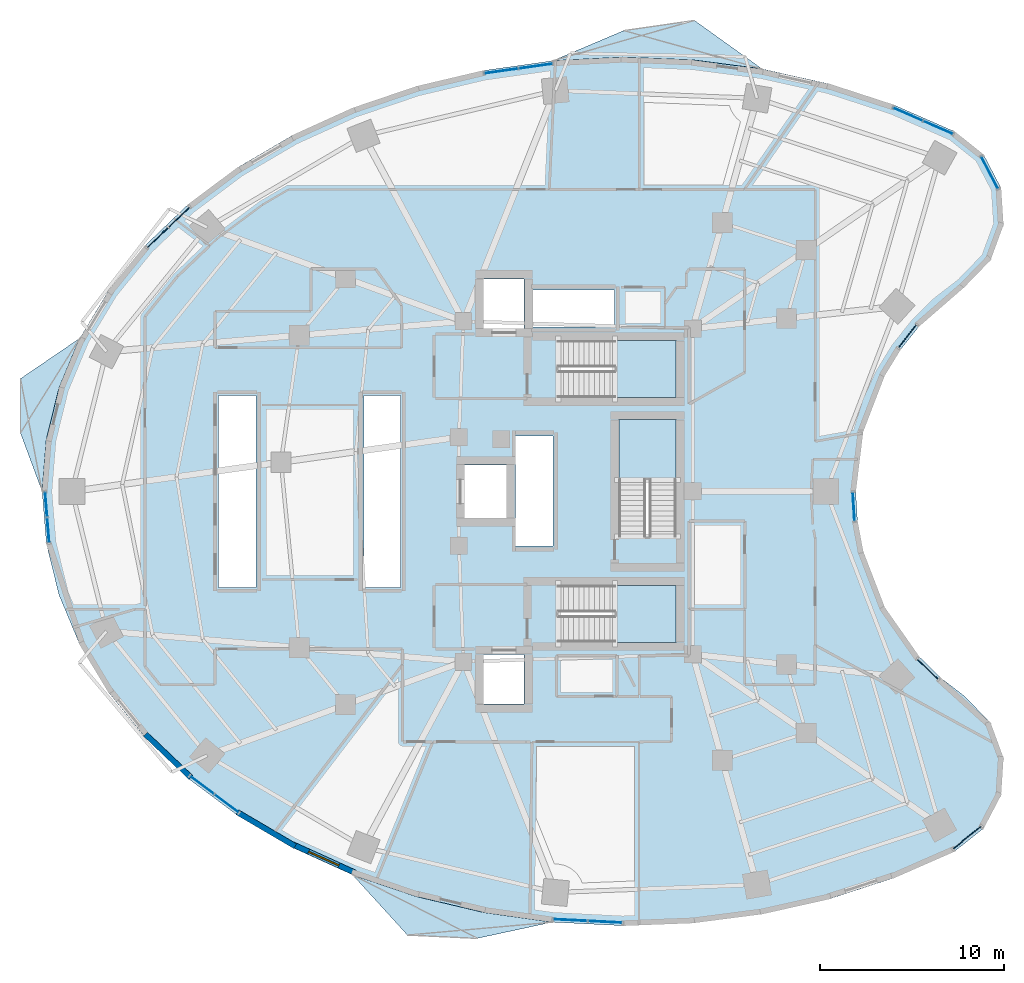
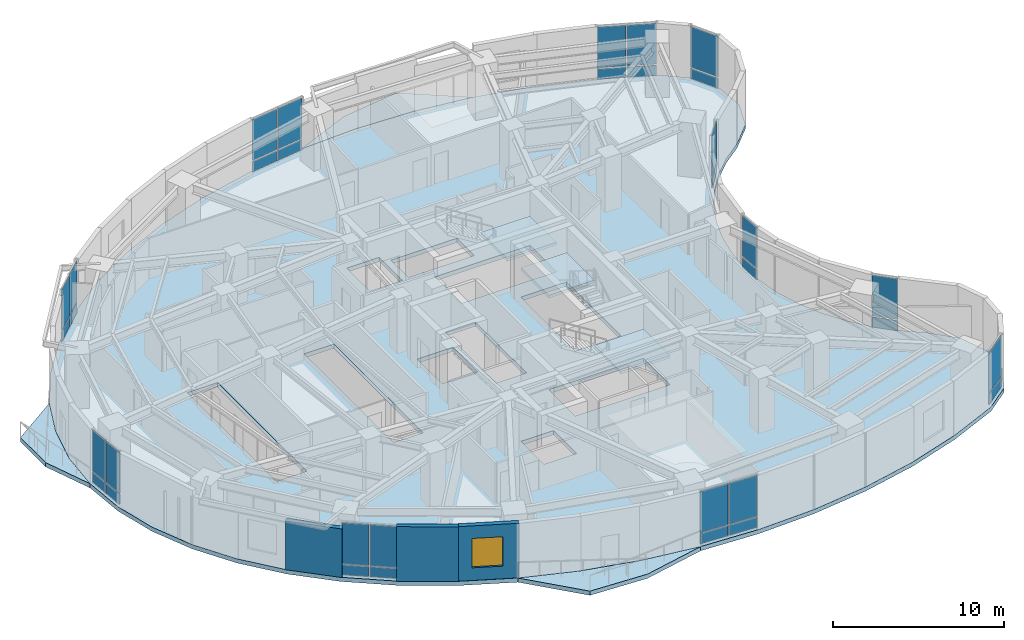
# One storey, part 7 of 15: 34 plates, 7 slabs, 3 walls, 1 window, 1 opening, 14 elements without a shape of their own.
"""IFC4 building model written with IfcOpenShell, lengths in metres."""

from ifc_helpers import new_model, si_unit, direction, frame, frame_2d, origin, origin_2d, place, context, subcontext, project, spatial, polyline, rectangle, outline, extrude, material, layer, layer_set, type_object, element, fill, aggregate, save


model = new_model("IFC4")

# Units and contexts
model_context = context("Model", 3, precision=1e-05, world=origin(), true_north=direction((0.0, 1.0)))
body_context = subcontext(model_context, "Body", "Model", "MODEL_VIEW")
ifc_project = project(units=[si_unit("LENGTHUNIT", "METRE"), si_unit("AREAUNIT", "SQUARE_METRE"), si_unit("VOLUMEUNIT", "CUBIC_METRE"), si_unit("PLANEANGLEUNIT", "RADIAN"), si_unit("MASSUNIT", "GRAM", prefix="KILO")], contexts=[model_context])

# Site, building, storey
site_placement = place(None, origin())
site = spatial("IfcSite", under=ifc_project, at=site_placement, CompositionType="ELEMENT")
building_placement = place(site_placement, origin())
building = spatial("IfcBuilding", under=site, at=building_placement, Name="Korentha Bioscience Tower", CompositionType="ELEMENT")
storey_placement = place(building_placement, frame((0.0, 0.0, 42.60009765625)))
storey = spatial("IfcBuildingStorey", under=building, at=storey_placement, Name="L09", CompositionType="ELEMENT", Elevation=42.60009765625)

# Curtain wall, plates
ifc_material_1 = material(Name="Thermally Broken Aluminium Frame", Category="aluminium")
ifc_layer_1 = layer(ifc_material_1, 0.219970703125, Name="Thermally Broken Aluminium Frame")
ifc_layer_set_1 = layer_set([ifc_layer_1], Name="Thermally Broken Aluminium Frame (CW-T1)")
curtain_wall_type = type_object("IfcCurtainWallType", Name="Standard Bioscience Lab Unitised Curtain Wall CW-T1", PredefinedType="USERDEFINED", material=ifc_layer_set_1)
curtain_wall_1_placement = place(storey_placement, origin())
curtain_wall_1 = element("IfcCurtainWall", 1, at=curtain_wall_1_placement, inside=storey, type_object=curtain_wall_type, Name="L09 Curtain Wall 01", ObjectType="UNITISED", PredefinedType="USERDEFINED")
ifc_material_2 = material(Name="Triple-Glazed Low-E Insulated Glass", Category="glass")
ifc_layer_2 = layer(ifc_material_2, 0.0439453125, Name="Triple-Glazed Low-E Insulated Glass")
ifc_layer_set_2 = layer_set([ifc_layer_2], Name="Triple-Glazed Low-E Insulated Glass (GL-44)")
plate_type = type_object("IfcPlateType", Name="Glazed Panel 44mm", PredefinedType="CURTAIN_PANEL", material=ifc_layer_set_2)
plate_1_placement = place(storey_placement, frame((50.893310546875, 46.780029296875, 0.08984375), z_axis=(0.0, 0.0, 1.0), x_axis=(-0.91593909057, 0.401317308828, 0.0)))
plate_1 = element("IfcPlate", 2, at=plate_1_placement, type_object=plate_type, Name="CW-L09-01 Bay 1 Glazed Panel 1", PredefinedType="CURTAIN_PANEL", context=body_context, shape_type="SweptSolid", body=[
    extrude(rectangle(XDim=1.701171875, YDim=0.0439453125, at=origin_2d()), origin(), (0.0, 0.0, 1.0), 0.715087890625),
])
plate_2_placement = place(storey_placement, frame((50.893310546875, 46.780029296875, 0.894775390625), z_axis=(0.0, 0.0, 1.0), x_axis=(-0.91593909057, 0.401317308828, 0.0)))
plate_2 = element("IfcPlate", 3, at=plate_2_placement, type_object=plate_type, Name="CW-L09-01 Bay 1 Glazed Panel 2", PredefinedType="CURTAIN_PANEL", context=body_context, shape_type="SweptSolid", body=[
    extrude(rectangle(XDim=1.701171875, YDim=0.0439453125, at=origin_2d()), origin(), (0.0, 0.0, 1.0), 2.9150390625),
])
plate_3_placement = place(storey_placement, frame((49.25244140625, 47.498779296875, 0.08984375), z_axis=(0.0, 0.0, 1.0), x_axis=(-0.91593909057, 0.401317308828, 0.0)))
plate_3 = element("IfcPlate", 4, at=plate_3_placement, type_object=plate_type, Name="CW-L09-01 Bay 2 Glazed Panel 1", PredefinedType="CURTAIN_PANEL", context=body_context, shape_type="SweptSolid", body=[
    extrude(rectangle(XDim=1.701171875, YDim=0.0439453125, at=origin_2d()), origin(), (0.0, 0.0, 1.0), 0.715087890625),
])
plate_4_placement = place(storey_placement, frame((49.25244140625, 47.498779296875, 0.894775390625), z_axis=(0.0, 0.0, 1.0), x_axis=(-0.91593909057, 0.401317308828, 0.0)))
plate_4 = element("IfcPlate", 5, at=plate_4_placement, type_object=plate_type, Name="CW-L09-01 Bay 2 Glazed Panel 2", PredefinedType="CURTAIN_PANEL", context=body_context, shape_type="SweptSolid", body=[
    extrude(rectangle(XDim=1.701171875, YDim=0.0439453125, at=origin_2d()), origin(), (0.0, 0.0, 1.0), 2.9150390625),
])
aggregate(curtain_wall_1, [plate_1, plate_2, plate_3, plate_4])

curtain_wall_2_placement = place(storey_placement, origin())
curtain_wall_2 = element("IfcCurtainWall", 6, at=curtain_wall_2_placement, inside=storey, type_object=curtain_wall_type, Name="L09 Curtain Wall 07", ObjectType="UNITISED", PredefinedType="USERDEFINED")
plate_5_placement = place(storey_placement, frame((29.0224609375, 50.11572265625, 0.08984375), z_axis=(0.0, 0.0, 1.0), x_axis=(-0.990167372968, -0.139887717511, 0.0)))
plate_5 = element("IfcPlate", 7, at=plate_5_placement, type_object=plate_type, Name="CW-L09-07 Bay 1 Glazed Panel 1", PredefinedType="CURTAIN_PANEL", context=body_context, shape_type="SweptSolid", body=[
    extrude(rectangle(XDim=1.800537109375, YDim=0.0439453125, at=origin_2d()), origin(), (0.0, 0.0, 1.0), 0.715087890625),
])
plate_6_placement = place(storey_placement, frame((29.0224609375, 50.11572265625, 0.894775390625), z_axis=(0.0, 0.0, 1.0), x_axis=(-0.990167372968, -0.139887717511, 0.0)))
plate_6 = element("IfcPlate", 8, at=plate_6_placement, type_object=plate_type, Name="CW-L09-07 Bay 1 Glazed Panel 2", PredefinedType="CURTAIN_PANEL", context=body_context, shape_type="SweptSolid", body=[
    extrude(rectangle(XDim=1.800537109375, YDim=0.0439453125, at=origin_2d()), origin(), (0.0, 0.0, 1.0), 2.9150390625),
])
plate_7_placement = place(storey_placement, frame((27.150634765625, 49.851318359375, 0.08984375), z_axis=(0.0, 0.0, 1.0), x_axis=(-0.990167372968, -0.139887717511, 0.0)))
plate_7 = element("IfcPlate", 9, at=plate_7_placement, type_object=plate_type, Name="CW-L09-07 Bay 2 Glazed Panel 1", PredefinedType="CURTAIN_PANEL", context=body_context, shape_type="SweptSolid", body=[
    extrude(rectangle(XDim=1.800537109375, YDim=0.0439453125, at=origin_2d()), origin(), (0.0, 0.0, 1.0), 0.715087890625),
])
plate_8_placement = place(storey_placement, frame((27.150634765625, 49.851318359375, 0.894775390625), z_axis=(0.0, 0.0, 1.0), x_axis=(-0.990167372968, -0.139887717511, 0.0)))
plate_8 = element("IfcPlate", 10, at=plate_8_placement, type_object=plate_type, Name="CW-L09-07 Bay 2 Glazed Panel 2", PredefinedType="CURTAIN_PANEL", context=body_context, shape_type="SweptSolid", body=[
    extrude(rectangle(XDim=1.800537109375, YDim=0.0439453125, at=origin_2d()), origin(), (0.0, 0.0, 1.0), 2.9150390625),
])
aggregate(curtain_wall_2, [plate_5, plate_6, plate_7, plate_8])

curtain_wall_3_placement = place(storey_placement, origin())
curtain_wall_3 = element("IfcCurtainWall", 11, at=curtain_wall_3_placement, inside=storey, type_object=curtain_wall_type, Name="L09 Curtain Wall 13", ObjectType="UNITISED", PredefinedType="USERDEFINED")
plate_9_placement = place(storey_placement, frame((9.643798828125, 41.9091796875, 0.08984375), z_axis=(0.0, 0.0, 1.0), x_axis=(-0.723641761581, -0.690175775361, 0.0)))
plate_9 = element("IfcPlate", 12, at=plate_9_placement, type_object=plate_type, Name="CW-L09-13 Bay 1 Glazed Panel 1", PredefinedType="CURTAIN_PANEL", context=body_context, shape_type="SweptSolid", body=[
    extrude(rectangle(XDim=1.5263671875, YDim=0.0439453125, at=origin_2d()), origin(), (0.0, 0.0, 1.0), 0.715087890625),
])
plate_10_placement = place(storey_placement, frame((9.643798828125, 41.9091796875, 0.894775390625), z_axis=(0.0, 0.0, 1.0), x_axis=(-0.723641761581, -0.690175775361, 0.0)))
plate_10 = element("IfcPlate", 13, at=plate_10_placement, type_object=plate_type, Name="CW-L09-13 Bay 1 Glazed Panel 2", PredefinedType="CURTAIN_PANEL", context=body_context, shape_type="SweptSolid", body=[
    extrude(rectangle(XDim=1.5263671875, YDim=0.0439453125, at=origin_2d()), origin(), (0.0, 0.0, 1.0), 2.9150390625),
])
plate_11_placement = place(storey_placement, frame((8.47412109375, 40.793701171875, 0.08984375), z_axis=(0.0, 0.0, 1.0), x_axis=(-0.723641761581, -0.690175775361, 0.0)))
plate_11 = element("IfcPlate", 14, at=plate_11_placement, type_object=plate_type, Name="CW-L09-13 Bay 2 Glazed Panel 1", PredefinedType="CURTAIN_PANEL", context=body_context, shape_type="SweptSolid", body=[
    extrude(rectangle(XDim=1.5263671875, YDim=0.0439453125, at=origin_2d()), origin(), (0.0, 0.0, 1.0), 0.715087890625),
])
plate_12_placement = place(storey_placement, frame((8.47412109375, 40.793701171875, 0.894775390625), z_axis=(0.0, 0.0, 1.0), x_axis=(-0.723641761581, -0.690175775361, 0.0)))
plate_12 = element("IfcPlate", 15, at=plate_12_placement, type_object=plate_type, Name="CW-L09-13 Bay 2 Glazed Panel 2", PredefinedType="CURTAIN_PANEL", context=body_context, shape_type="SweptSolid", body=[
    extrude(rectangle(XDim=1.5263671875, YDim=0.0439453125, at=origin_2d()), origin(), (0.0, 0.0, 1.0), 2.9150390625),
])
aggregate(curtain_wall_3, [plate_9, plate_10, plate_11, plate_12])

curtain_wall_4_placement = place(storey_placement, origin())
curtain_wall_4 = element("IfcCurtainWall", 16, at=curtain_wall_4_placement, inside=storey, type_object=curtain_wall_type, Name="L09 Curtain Wall 19", ObjectType="UNITISED", PredefinedType="USERDEFINED")
plate_13_placement = place(storey_placement, frame((2.4169921875, 26.302734375, 0.08984375), z_axis=(0.0, 0.0, 1.0), x_axis=(0.080820466375, -0.996728675325, 0.0)))
plate_13 = element("IfcPlate", 17, at=plate_13_placement, type_object=plate_type, Name="CW-L09-19 Bay 1 Glazed Panel 1", PredefinedType="CURTAIN_PANEL", context=body_context, shape_type="SweptSolid", body=[
    extrude(rectangle(XDim=1.324951171875, YDim=0.0439453125, at=origin_2d()), origin(), (0.0, 0.0, 1.0), 0.715087890625),
])
plate_14_placement = place(storey_placement, frame((2.4169921875, 26.302734375, 0.894775390625), z_axis=(0.0, 0.0, 1.0), x_axis=(0.080820466375, -0.996728675325, 0.0)))
plate_14 = element("IfcPlate", 18, at=plate_14_placement, type_object=plate_type, Name="CW-L09-19 Bay 1 Glazed Panel 2", PredefinedType="CURTAIN_PANEL", context=body_context, shape_type="SweptSolid", body=[
    extrude(rectangle(XDim=1.324951171875, YDim=0.0439453125, at=origin_2d()), origin(), (0.0, 0.0, 1.0), 2.9150390625),
])
plate_15_placement = place(storey_placement, frame((2.531494140625, 24.892333984375, 0.08984375), z_axis=(0.0, 0.0, 1.0), x_axis=(0.080820466375, -0.996728675325, 0.0)))
plate_15 = element("IfcPlate", 19, at=plate_15_placement, type_object=plate_type, Name="CW-L09-19 Bay 2 Glazed Panel 1", PredefinedType="CURTAIN_PANEL", context=body_context, shape_type="SweptSolid", body=[
    extrude(rectangle(XDim=1.324951171875, YDim=0.0439453125, at=origin_2d()), origin(), (0.0, 0.0, 1.0), 0.715087890625),
])
plate_16_placement = place(storey_placement, frame((2.531494140625, 24.892333984375, 0.894775390625), z_axis=(0.0, 0.0, 1.0), x_axis=(0.080820466375, -0.996728675325, 0.0)))
plate_16 = element("IfcPlate", 20, at=plate_16_placement, type_object=plate_type, Name="CW-L09-19 Bay 2 Glazed Panel 2", PredefinedType="CURTAIN_PANEL", context=body_context, shape_type="SweptSolid", body=[
    extrude(rectangle(XDim=1.324951171875, YDim=0.0439453125, at=origin_2d()), origin(), (0.0, 0.0, 1.0), 2.9150390625),
])
aggregate(curtain_wall_4, [plate_13, plate_14, plate_15, plate_16])

curtain_wall_5_placement = place(storey_placement, origin())
curtain_wall_5 = element("IfcCurtainWall", 21, at=curtain_wall_5_placement, inside=storey, type_object=curtain_wall_type, Name="L09 Curtain Wall 25", ObjectType="UNITISED", PredefinedType="USERDEFINED")
plate_17_placement = place(storey_placement, frame((10.892578125, 11.037109375, 0.08984375), z_axis=(0.0, 0.0, 1.0), x_axis=(0.800797909614, -0.598934644145, 0.0)))
plate_17 = element("IfcPlate", 22, at=plate_17_placement, type_object=plate_type, Name="CW-L09-25 Bay 1 Glazed Panel 1", PredefinedType="CURTAIN_PANEL", context=body_context, shape_type="SweptSolid", body=[
    extrude(rectangle(XDim=1.58544921875, YDim=0.0439453125, at=origin_2d()), origin(), (0.0, 0.0, 1.0), 0.715087890625),
])
plate_18_placement = place(storey_placement, frame((10.892578125, 11.037109375, 0.894775390625), z_axis=(0.0, 0.0, 1.0), x_axis=(0.800797909614, -0.598934644145, 0.0)))
plate_18 = element("IfcPlate", 23, at=plate_18_placement, type_object=plate_type, Name="CW-L09-25 Bay 1 Glazed Panel 2", PredefinedType="CURTAIN_PANEL", context=body_context, shape_type="SweptSolid", body=[
    extrude(rectangle(XDim=1.58544921875, YDim=0.0439453125, at=origin_2d()), origin(), (0.0, 0.0, 1.0), 2.9150390625),
])
plate_19_placement = place(storey_placement, frame((12.234375, 10.033447265625, 0.08984375), z_axis=(0.0, 0.0, 1.0), x_axis=(0.800797909614, -0.598934644145, 0.0)))
plate_19 = element("IfcPlate", 24, at=plate_19_placement, type_object=plate_type, Name="CW-L09-25 Bay 2 Glazed Panel 1", PredefinedType="CURTAIN_PANEL", context=body_context, shape_type="SweptSolid", body=[
    extrude(rectangle(XDim=1.58544921875, YDim=0.0439453125, at=origin_2d()), origin(), (0.0, 0.0, 1.0), 0.715087890625),
])
plate_20_placement = place(storey_placement, frame((12.234375, 10.033447265625, 0.894775390625), z_axis=(0.0, 0.0, 1.0), x_axis=(0.800797909614, -0.598934644145, 0.0)))
plate_20 = element("IfcPlate", 25, at=plate_20_placement, type_object=plate_type, Name="CW-L09-25 Bay 2 Glazed Panel 2", PredefinedType="CURTAIN_PANEL", context=body_context, shape_type="SweptSolid", body=[
    extrude(rectangle(XDim=1.58544921875, YDim=0.0439453125, at=origin_2d()), origin(), (0.0, 0.0, 1.0), 2.9150390625),
])
aggregate(curtain_wall_5, [plate_17, plate_18, plate_19, plate_20])

curtain_wall_6_placement = place(storey_placement, origin())
curtain_wall_6 = element("IfcCurtainWall", 26, at=curtain_wall_6_placement, inside=storey, type_object=curtain_wall_type, Name="L09 Curtain Wall 31", ObjectType="UNITISED", PredefinedType="USERDEFINED")
plate_21_placement = place(storey_placement, frame((30.90478515625, 3.70458984375, 0.08984375), z_axis=(0.0, 0.0, 1.0), x_axis=(0.998730551641, -0.050371472279, 0.0)))
plate_21 = element("IfcPlate", 27, at=plate_21_placement, type_object=plate_type, Name="CW-L09-31 Bay 1 Glazed Panel 1", PredefinedType="CURTAIN_PANEL", context=body_context, shape_type="SweptSolid", body=[
    extrude(rectangle(XDim=1.8134765625, YDim=0.0439453125, at=origin_2d()), origin(), (0.0, 0.0, 1.0), 0.715087890625),
])
plate_22_placement = place(storey_placement, frame((30.90478515625, 3.70458984375, 0.894775390625), z_axis=(0.0, 0.0, 1.0), x_axis=(0.998730551641, -0.050371472279, 0.0)))
plate_22 = element("IfcPlate", 28, at=plate_22_placement, type_object=plate_type, Name="CW-L09-31 Bay 1 Glazed Panel 2", PredefinedType="CURTAIN_PANEL", context=body_context, shape_type="SweptSolid", body=[
    extrude(rectangle(XDim=1.8134765625, YDim=0.0439453125, at=origin_2d()), origin(), (0.0, 0.0, 1.0), 2.9150390625),
])
plate_23_placement = place(storey_placement, frame((32.805908203125, 3.608642578125, 0.08984375), z_axis=(0.0, 0.0, 1.0), x_axis=(0.998730551641, -0.050371472279, 0.0)))
plate_23 = element("IfcPlate", 29, at=plate_23_placement, type_object=plate_type, Name="CW-L09-31 Bay 2 Glazed Panel 1", PredefinedType="CURTAIN_PANEL", context=body_context, shape_type="SweptSolid", body=[
    extrude(rectangle(XDim=1.8134765625, YDim=0.0439453125, at=origin_2d()), origin(), (0.0, 0.0, 1.0), 0.715087890625),
])
plate_24_placement = place(storey_placement, frame((32.805908203125, 3.608642578125, 0.894775390625), z_axis=(0.0, 0.0, 1.0), x_axis=(0.998730551641, -0.050371472279, 0.0)))
plate_24 = element("IfcPlate", 30, at=plate_24_placement, type_object=plate_type, Name="CW-L09-31 Bay 2 Glazed Panel 2", PredefinedType="CURTAIN_PANEL", context=body_context, shape_type="SweptSolid", body=[
    extrude(rectangle(XDim=1.8134765625, YDim=0.0439453125, at=origin_2d()), origin(), (0.0, 0.0, 1.0), 2.9150390625),
])
aggregate(curtain_wall_6, [plate_21, plate_22, plate_23, plate_24])

curtain_wall_7_placement = place(storey_placement, origin())
curtain_wall_7 = element("IfcCurtainWall", 31, at=curtain_wall_7_placement, inside=storey, type_object=curtain_wall_type, Name="L09 Curtain Wall 37", ObjectType="UNITISED", PredefinedType="USERDEFINED")
plate_25_placement = place(storey_placement, frame((52.4755859375, 8.19140625, 0.08984375), z_axis=(0.0, 0.0, 1.0), x_axis=(0.782287851332, 0.62291710336, 0.0)))
plate_25 = element("IfcPlate", 32, at=plate_25_placement, type_object=plate_type, Name="CW-L09-37 Bay 1 Glazed Panel 1", PredefinedType="CURTAIN_PANEL", context=body_context, shape_type="SweptSolid", body=[
    extrude(rectangle(XDim=1.927734375, YDim=0.0439453125, at=origin_2d()), origin(), (0.0, 0.0, 1.0), 0.715087890625),
])
plate_26_placement = place(storey_placement, frame((52.4755859375, 8.19140625, 0.894775390625), z_axis=(0.0, 0.0, 1.0), x_axis=(0.782287851332, 0.62291710336, 0.0)))
plate_26 = element("IfcPlate", 33, at=plate_26_placement, type_object=plate_type, Name="CW-L09-37 Bay 1 Glazed Panel 2", PredefinedType="CURTAIN_PANEL", context=body_context, shape_type="SweptSolid", body=[
    extrude(rectangle(XDim=1.927734375, YDim=0.0439453125, at=origin_2d()), origin(), (0.0, 0.0, 1.0), 2.9150390625),
])
aggregate(curtain_wall_7, [plate_25, plate_26])

curtain_wall_8_placement = place(storey_placement, origin())
curtain_wall_8 = element("IfcCurtainWall", 34, at=curtain_wall_8_placement, inside=storey, type_object=curtain_wall_type, Name="L09 Curtain Wall 43", ObjectType="UNITISED", PredefinedType="USERDEFINED")
plate_27_placement = place(storey_placement, frame((50.333251953125, 17.335693359375, 0.08984375), z_axis=(0.0, 0.0, 1.0), x_axis=(-0.713279246754, 0.700879958445, 0.0)))
plate_27 = element("IfcPlate", 35, at=plate_27_placement, type_object=plate_type, Name="CW-L09-43 Bay 1 Glazed Panel 1", PredefinedType="CURTAIN_PANEL", context=body_context, shape_type="SweptSolid", body=[
    extrude(rectangle(XDim=1.537841796875, YDim=0.0439453125, at=origin_2d()), origin(), (0.0, 0.0, 1.0), 0.715087890625),
])
plate_28_placement = place(storey_placement, frame((50.333251953125, 17.335693359375, 0.894775390625), z_axis=(0.0, 0.0, 1.0), x_axis=(-0.713279246754, 0.700879958445, 0.0)))
plate_28 = element("IfcPlate", 36, at=plate_28_placement, type_object=plate_type, Name="CW-L09-43 Bay 1 Glazed Panel 2", PredefinedType="CURTAIN_PANEL", context=body_context, shape_type="SweptSolid", body=[
    extrude(rectangle(XDim=1.537841796875, YDim=0.0439453125, at=origin_2d()), origin(), (0.0, 0.0, 1.0), 2.9150390625),
])
aggregate(curtain_wall_8, [plate_27, plate_28])

curtain_wall_9_placement = place(storey_placement, origin())
curtain_wall_9 = element("IfcCurtainWall", 37, at=curtain_wall_9_placement, inside=storey, type_object=curtain_wall_type, Name="L09 Curtain Wall 49", ObjectType="UNITISED", PredefinedType="USERDEFINED")
plate_29_placement = place(storey_placement, frame((46.305908203125, 26.1728515625, 0.08984375), z_axis=(0.0, 0.0, 1.0), x_axis=(-0.061008272998, 0.998137260413, 0.0)))
plate_29 = element("IfcPlate", 38, at=plate_29_placement, type_object=plate_type, Name="CW-L09-49 Bay 1 Glazed Panel 1", PredefinedType="CURTAIN_PANEL", context=body_context, shape_type="SweptSolid", body=[
    extrude(rectangle(XDim=1.537841796875, YDim=0.0439453125, at=origin_2d()), origin(), (0.0, 0.0, 1.0), 0.715087890625),
])
plate_30_placement = place(storey_placement, frame((46.305908203125, 26.1728515625, 0.894775390625), z_axis=(0.0, 0.0, 1.0), x_axis=(-0.061008272998, 0.998137260413, 0.0)))
plate_30 = element("IfcPlate", 39, at=plate_30_placement, type_object=plate_type, Name="CW-L09-49 Bay 1 Glazed Panel 2", PredefinedType="CURTAIN_PANEL", context=body_context, shape_type="SweptSolid", body=[
    extrude(rectangle(XDim=1.537841796875, YDim=0.0439453125, at=origin_2d()), origin(), (0.0, 0.0, 1.0), 2.9150390625),
])
aggregate(curtain_wall_9, [plate_29, plate_30])

curtain_wall_10_placement = place(storey_placement, origin())
curtain_wall_10 = element("IfcCurtainWall", 40, at=curtain_wall_10_placement, inside=storey, type_object=curtain_wall_type, Name="L09 Curtain Wall 55", ObjectType="UNITISED", PredefinedType="USERDEFINED")
plate_31_placement = place(storey_placement, frame((49.226318359375, 35.434814453125, 0.08984375), z_axis=(0.0, 0.0, 1.0), x_axis=(0.622520324648, 0.782603632371, 0.0)))
plate_31 = element("IfcPlate", 41, at=plate_31_placement, type_object=plate_type, Name="CW-L09-55 Bay 1 Glazed Panel 1", PredefinedType="CURTAIN_PANEL", context=body_context, shape_type="SweptSolid", body=[
    extrude(rectangle(XDim=1.537841796875, YDim=0.0439453125, at=origin_2d()), origin(), (0.0, 0.0, 1.0), 0.715087890625),
])
plate_32_placement = place(storey_placement, frame((49.226318359375, 35.434814453125, 0.894775390625), z_axis=(0.0, 0.0, 1.0), x_axis=(0.622520324648, 0.782603632371, 0.0)))
plate_32 = element("IfcPlate", 42, at=plate_32_placement, type_object=plate_type, Name="CW-L09-55 Bay 1 Glazed Panel 2", PredefinedType="CURTAIN_PANEL", context=body_context, shape_type="SweptSolid", body=[
    extrude(rectangle(XDim=1.537841796875, YDim=0.0439453125, at=origin_2d()), origin(), (0.0, 0.0, 1.0), 2.9150390625),
])
aggregate(curtain_wall_10, [plate_31, plate_32])

curtain_wall_11_placement = place(storey_placement, origin())
curtain_wall_11 = element("IfcCurtainWall", 43, at=curtain_wall_11_placement, inside=storey, type_object=curtain_wall_type, Name="L09 Curtain Wall 61", ObjectType="UNITISED", PredefinedType="USERDEFINED")
plate_33_placement = place(storey_placement, frame((53.6962890625, 44.32958984375, 0.08984375), z_axis=(0.0, 0.0, 1.0), x_axis=(-0.463008597697, 0.886353788539, 0.0)))
plate_33 = element("IfcPlate", 44, at=plate_33_placement, type_object=plate_type, Name="CW-L09-61 Bay 1 Glazed Panel 1", PredefinedType="CURTAIN_PANEL", context=body_context, shape_type="SweptSolid", body=[
    extrude(rectangle(XDim=1.927734375, YDim=0.0439453125, at=origin_2d()), origin(), (0.0, 0.0, 1.0), 0.715087890625),
])
plate_34_placement = place(storey_placement, frame((53.6962890625, 44.32958984375, 0.894775390625), z_axis=(0.0, 0.0, 1.0), x_axis=(-0.463008597697, 0.886353788539, 0.0)))
plate_34 = element("IfcPlate", 45, at=plate_34_placement, type_object=plate_type, Name="CW-L09-61 Bay 1 Glazed Panel 2", PredefinedType="CURTAIN_PANEL", context=body_context, shape_type="SweptSolid", body=[
    extrude(rectangle(XDim=1.927734375, YDim=0.0439453125, at=origin_2d()), origin(), (0.0, 0.0, 1.0), 2.9150390625),
])
aggregate(curtain_wall_11, [plate_33, plate_34])

# Slab
ifc_material_3 = material(Name="Concrete C50", Category="concrete")
ifc_layer_3 = layer(ifc_material_3, 0.300048828125, Name="Concrete C50")
ifc_layer_set_3 = layer_set([ifc_layer_3], Name="Concrete C50 (SL-L300)")
slab_type_1 = type_object("IfcSlabType", Name="Laboratory Vibration-Controlled Slab 300", PredefinedType="FLOOR", material=ifc_layer_set_3)
slab_1_placement = place(storey_placement, frame((0.0, 0.0, -0.300048828125)))
element("IfcSlab", 46, at=slab_1_placement, inside=storey, type_object=slab_type_1, Name="L09 Tower Structural Floor Slab", PredefinedType="FLOOR", context=body_context, shape_type="SweptSolid", body=[
    extrude(outline(polyline([(51.7822265625, 46.565185546875), (48.49169921875, 48.0068359375), (44.9921875, 49.145263671875), (41.33349609375, 49.9638671875), (37.569091796875, 50.450927734375), (33.75341796875, 50.599365234375), (29.94091796875, 50.406982421875), (26.187255859375, 49.876708984375), (22.54638671875, 49.01611328125), (19.07080078125, 47.837646484375), (15.810791015625, 46.358154296875), (12.8134765625, 44.599365234375), (10.1220703125, 42.58642578125), (7.775390625, 40.348388671875), (5.807373046875, 37.91748046875), (4.246337890625, 35.3291015625), (3.114990234375, 32.62060546875), (2.4296875, 29.830810546875), (2.199951171875, 27.0), (2.4296875, 24.169189453125), (3.114990234375, 21.37939453125), (4.246337890625, 18.6708984375), (5.807373046875, 16.08251953125), (7.775390625, 13.651611328125), (10.1220703125, 11.41357421875), (12.8134765625, 9.400634765625), (15.810791015625, 7.641845703125), (19.07080078125, 6.162353515625), (22.54638671875, 4.98388671875), (26.187255859375, 4.123291015625), (29.94091796875, 3.593017578125), (33.75341796875, 3.400634765625), (37.569091796875, 3.549072265625), (41.33349609375, 4.0361328125), (44.9921875, 4.854736328125), (48.49169921875, 5.9931640625), (51.7822265625, 7.434814453125), (53.368408203125, 8.69775390625), (54.307373046875, 10.4951171875), (54.4384765625, 12.518310546875), (53.739013671875, 14.421630859375), (52.3291015625, 15.878662109375), (51.029541015625, 16.875732421875), (49.861328125, 18.023681640625), (48.841796875, 19.3056640625), (47.98583984375, 20.7021484375), (47.306640625, 22.192626953125), (46.814208984375, 23.754638671875), (46.515625, 25.365234375), (46.415771484375, 27.0), (46.515625, 28.634765625), (46.814208984375, 30.245361328125), (47.306640625, 31.807373046875), (47.98583984375, 33.2978515625), (48.841796875, 34.6943359375), (49.861328125, 35.976318359375), (51.029541015625, 37.124267578125), (52.3291015625, 38.121337890625), (53.739013671875, 39.578369140625), (54.4384765625, 41.481689453125), (54.307373046875, 43.5048828125), (53.368408203125, 45.30224609375), (51.7822265625, 46.565185546875)]), holes=[polyline([(30.25, 32.10009765625), (36.64990234375, 32.10009765625), (36.64990234375, 35.199951171875), (30.25, 35.199951171875), (30.25, 32.10009765625)]), polyline([(30.25, 18.800048828125), (36.64990234375, 18.800048828125), (36.64990234375, 21.89990234375), (30.25, 21.89990234375), (30.25, 18.800048828125)]), polyline([(36.64990234375, 24.550048828125), (36.64990234375, 30.89990234375), (33.550048828125, 30.89990234375), (33.550048828125, 24.550048828125), (36.64990234375, 24.550048828125)]), polyline([(11.780029296875, 21.780029296875), (13.820068359375, 21.780029296875), (13.820068359375, 32.219970703125), (11.780029296875, 32.219970703125), (11.780029296875, 21.780029296875)]), polyline([(19.679931640625, 21.780029296875), (21.669921875, 21.780029296875), (21.669921875, 32.219970703125), (19.679931640625, 32.219970703125), (19.679931640625, 21.780029296875)]), polyline([(27.929931640625, 24.030029296875), (29.969970703125, 24.030029296875), (29.969970703125, 30.02001953125), (27.929931640625, 30.02001953125), (27.929931640625, 24.030029296875)]), polyline([(28.860107421875, 35.93994140625), (33.31005859375, 35.93994140625), (33.31005859375, 37.9599609375), (28.860107421875, 37.9599609375), (28.860107421875, 35.93994140625)]), polyline([(26.199951171875, 15.449951171875), (28.39990234375, 15.449951171875), (28.39990234375, 18.14990234375), (26.199951171875, 18.14990234375), (26.199951171875, 15.449951171875)]), polyline([(26.199951171875, 35.85009765625), (28.39990234375, 35.85009765625), (28.39990234375, 38.550048828125), (26.199951171875, 38.550048828125), (26.199951171875, 35.85009765625)]), polyline([(25.14990234375, 25.550048828125), (27.550048828125, 25.550048828125), (27.550048828125, 28.449951171875), (25.14990234375, 28.449951171875), (25.14990234375, 25.550048828125)])]), origin(), (0.0, 0.0, 1.0), 0.300048828125),
])

# Stair, slab
ifc_material_4 = material(Name="Precast Concrete C50", Category="concrete")
stair_type = type_object("IfcStairType", Name="Core Exit Dog-Leg Stair 1450", PredefinedType="HALF_TURN_STAIR", material=ifc_material_4)
stair_1_placement = place(storey_placement, origin())
stair_1 = element("IfcStair", 47, at=stair_1_placement, inside=storey, type_object=stair_type, Name="L09 Tower North Pressurized Exit Stair ST-1", PredefinedType="HALF_TURN_STAIR")
ifc_layer_4 = layer(ifc_material_3, 0.199951171875, Name="Concrete C50")
ifc_layer_set_4 = layer_set([ifc_layer_4], Name="Concrete C50 (SL-LND)")
slab_type_2 = type_object("IfcSlabType", Name="Landing Slab 200", PredefinedType="LANDING", material=ifc_layer_set_4)
slab_2_placement = place(storey_placement, frame((0.0, 0.0, 1.89990234375)))
slab_2 = element("IfcSlab", 48, at=slab_2_placement, type_object=slab_type_2, Name="ST-1 landing 1", PredefinedType="LANDING", context=body_context, shape_type="SweptSolid", body=[
    extrude(outline(polyline([(33.330078125, 32.10009765625), (36.64990234375, 32.10009765625), (36.64990234375, 35.199951171875), (33.330078125, 35.199951171875), (33.330078125, 32.10009765625)])), origin(), (0.0, 0.0, 1.0), 0.199951171875),
])
aggregate(stair_1, [slab_2])

stair_2_placement = place(storey_placement, origin())
stair_2 = element("IfcStair", 49, at=stair_2_placement, inside=storey, type_object=stair_type, Name="L09 Tower South Pressurized Exit Stair ST-2", PredefinedType="HALF_TURN_STAIR")
slab_3_placement = place(storey_placement, frame((0.0, 0.0, 1.89990234375)))
slab_3 = element("IfcSlab", 50, at=slab_3_placement, type_object=slab_type_2, Name="ST-2 landing 1", PredefinedType="LANDING", context=body_context, shape_type="SweptSolid", body=[
    extrude(outline(polyline([(33.330078125, 18.800048828125), (36.64990234375, 18.800048828125), (36.64990234375, 21.89990234375), (33.330078125, 21.89990234375), (33.330078125, 18.800048828125)])), origin(), (0.0, 0.0, 1.0), 0.199951171875),
])
aggregate(stair_2, [slab_3])

stair_3_placement = place(storey_placement, origin())
stair_3 = element("IfcStair", 51, at=stair_3_placement, inside=storey, type_object=stair_type, Name="L09 Tower Central Pressurized Exit Stair ST-3", PredefinedType="HALF_TURN_STAIR")
slab_4_placement = place(storey_placement, frame((0.0, 0.0, 1.89990234375)))
slab_4 = element("IfcSlab", 52, at=slab_4_placement, type_object=slab_type_2, Name="ST-3 landing 1", PredefinedType="LANDING", context=body_context, shape_type="SweptSolid", body=[
    extrude(outline(polyline([(36.64990234375, 27.6298828125), (36.64990234375, 30.89990234375), (33.550048828125, 30.89990234375), (33.550048828125, 27.6298828125), (36.64990234375, 27.6298828125)])), origin(), (0.0, 0.0, 1.0), 0.199951171875),
])
aggregate(stair_3, [slab_4])

# Slabs
ifc_layer_5 = layer(ifc_material_3, 0.300048828125, Name="Concrete C50")
ifc_layer_set_5 = layer_set([ifc_layer_5], Name="Concrete C50 (BS-240)")
slab_type_3 = type_object("IfcSlabType", Name="Sawtooth Sun-Ledge Balcony Slab 240", PredefinedType="USERDEFINED", material=ifc_layer_set_5)
slab_5_placement = place(storey_placement, frame((0.0, 0.0, -0.300048828125)))
element("IfcSlab", 53, at=slab_5_placement, inside=storey, type_object=slab_type_3, Name="L09 Sun-Ledge Balcony 01", ObjectType="BALCONY", PredefinedType="USERDEFINED", context=body_context, shape_type="SweptSolid", body=[
    extrude(outline(polyline([(29.94091796875, 50.406982421875), (33.75341796875, 50.599365234375), (37.569091796875, 50.450927734375), (41.33349609375, 49.9638671875), (37.65283203125, 52.599365234375), (33.809814453125, 52.048095703125), (29.94091796875, 50.406982421875)])), origin(), (0.0, 0.0, 1.0), 0.300048828125),
])
slab_6_placement = place(storey_placement, frame((0.0, 0.0, -0.300048828125)))
element("IfcSlab", 54, at=slab_6_placement, inside=storey, type_object=slab_type_3, Name="L09 Sun-Ledge Balcony 02", ObjectType="BALCONY", PredefinedType="USERDEFINED", context=body_context, shape_type="SweptSolid", body=[
    extrude(outline(polyline([(2.199951171875, 27.0), (2.4296875, 29.830810546875), (3.114990234375, 32.62060546875), (4.246337890625, 35.3291015625), (1.027099609375, 33.133544921875), (1.021484375, 30.176513671875), (2.199951171875, 27.0)])), origin(), (0.0, 0.0, 1.0), 0.300048828125),
])
slab_7_placement = place(storey_placement, frame((0.0, 0.0, -0.300048828125)))
element("IfcSlab", 55, at=slab_7_placement, inside=storey, type_object=slab_type_3, Name="L09 Sun-Ledge Balcony 03", ObjectType="BALCONY", PredefinedType="USERDEFINED", context=body_context, shape_type="SweptSolid", body=[
    extrude(outline(polyline([(29.94091796875, 3.593017578125), (26.187255859375, 4.123291015625), (22.54638671875, 4.98388671875), (19.07080078125, 6.162353515625), (22.0517578125, 2.8916015625), (25.853759765625, 2.712158203125), (29.94091796875, 3.593017578125)])), origin(), (0.0, 0.0, 1.0), 0.300048828125),
])

# Wall, opening, window
ifc_material_5 = material(Name="Honed Limestone Precast Concrete C40", Category="masonry")
ifc_layer_6 = layer(ifc_material_5, 0.300048828125, Name="Honed Limestone Precast Concrete C40")
ifc_layer_set_6 = layer_set([ifc_layer_6], Name="Honed Limestone Precast Concrete C40 (EW-ST300)")
wall_type = type_object("IfcWallType", Name="Honed Limestone Cavity Spandrel Wall 300", PredefinedType="STANDARD", material=ifc_layer_set_6)
wall_1_placement = place(storey_placement, frame((15.822265625, 7.812255859375, 0.0), z_axis=(0.0, 0.0, 1.0), x_axis=(0.910608120407, -0.413270917254, 0.0)))
wall_1 = element("IfcWall", 56, at=wall_1_placement, inside=storey, type_object=wall_type, Name="L09 Honed Limestone Spandrel Wall 27", PredefinedType="STANDARD", context=body_context, shape_type="SweptSolid", body=[
    extrude(rectangle(XDim=3.699951171875, YDim=0.300048828125, at=frame_2d((1.85009765625, 0.0))), origin(), (0.0, 0.0, 1.0), 3.89990234375),
])
opening_placement = place(wall_1_placement, frame((0.949951171875, 0.0, 0.89990234375)))
opening = element("IfcOpeningElement", 57, at=opening_placement, cuts=wall_1, Name="Opening WN-01", PredefinedType="OPENING", context=body_context, shape_type="SweptSolid", body=[
    extrude(rectangle(XDim=1.800048828125, YDim=2.10009765625, at=frame_2d((0.89990234375, 1.050048828125))), frame((0.0, 0.1650390625, 0.0), z_axis=(0.0, -1.0, 0.0), x_axis=(1.0, 0.0, 0.0)), (0.0, 0.0, 1.0), 0.329833984375),
])
ifc_material_6 = material(Name="Thermally Broken Aluminium Triple Glazing", Category="aluminium")
window_type = type_object("IfcWindowType", Name="Triple-Glazed Fixed Bioscience Window 1800x2100", PartitioningType="SINGLE_PANEL", PredefinedType="WINDOW", material=ifc_material_6)
window_placement = place(opening_placement, origin())
window = element("IfcWindow", 58, at=window_placement, inside=storey, type_object=window_type, Name="L09 Facade Window 27", OverallHeight=2.10009765625, OverallWidth=1.800048828125, PartitioningType="SINGLE_PANEL", PredefinedType="WINDOW", context=body_context, shape_type="SweptSolid", body=[
    extrude(rectangle(XDim=1.800048828125, YDim=2.10009765625, at=frame_2d((0.89990234375, 1.050048828125))), frame((0.0, 0.030029296875, 0.0), z_axis=(0.0, -1.0, 0.0), x_axis=(1.0, 0.0, 0.0)), (0.0, 0.0, 1.0), 0.06005859375),
])
fill(opening, window)

# Walls
wall_2_placement = place(storey_placement, frame((7.81396484375, 13.80810546875, 0.0), z_axis=(0.0, 0.0, 1.0), x_axis=(0.72369587847, -0.69011902994, 0.0)))
element("IfcWall", 59, at=wall_2_placement, inside=storey, type_object=wall_type, Name="L09 Limestone Perimeter Closure Wall 24", PredefinedType="STANDARD", context=body_context, shape_type="SweptSolid", body=[
    extrude(rectangle(XDim=3.40283203125, YDim=0.300048828125, at=frame_2d((1.701416015625, 0.0))), origin(), (0.0, 0.0, 1.0), 3.469970703125),
])
wall_3_placement = place(storey_placement, frame((12.8154296875, 9.56201171875, 0.0), z_axis=(0.0, 0.0, 1.0), x_axis=(0.8624654944, -0.506115867139, 0.0)))
element("IfcWall", 60, at=wall_3_placement, inside=storey, type_object=wall_type, Name="L09 Limestone Perimeter Closure Wall 26", PredefinedType="STANDARD", context=body_context, shape_type="SweptSolid", body=[
    extrude(rectangle(XDim=3.63525390625, YDim=0.300048828125, at=frame_2d((1.817626953125, 0.0))), origin(), (0.0, 0.0, 1.0), 3.89990234375),
])

save(model, "model.ifc")
